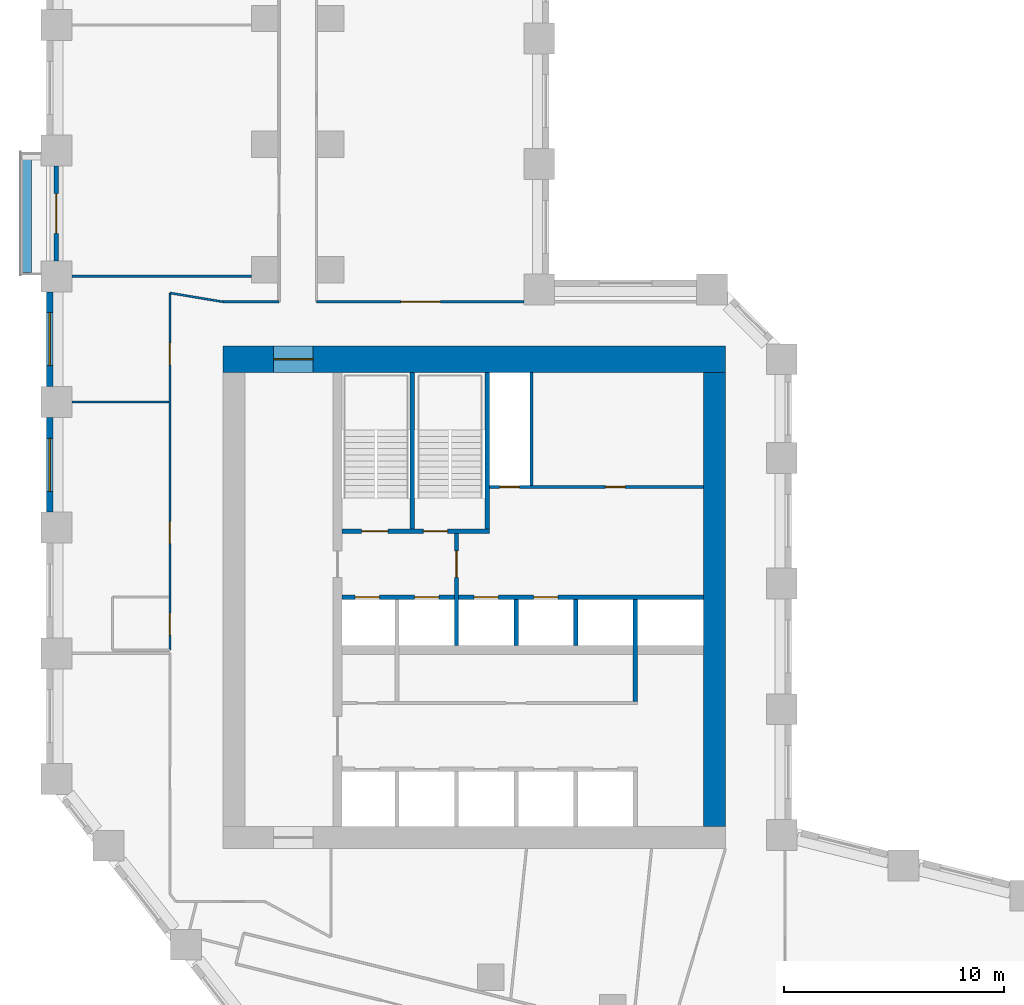
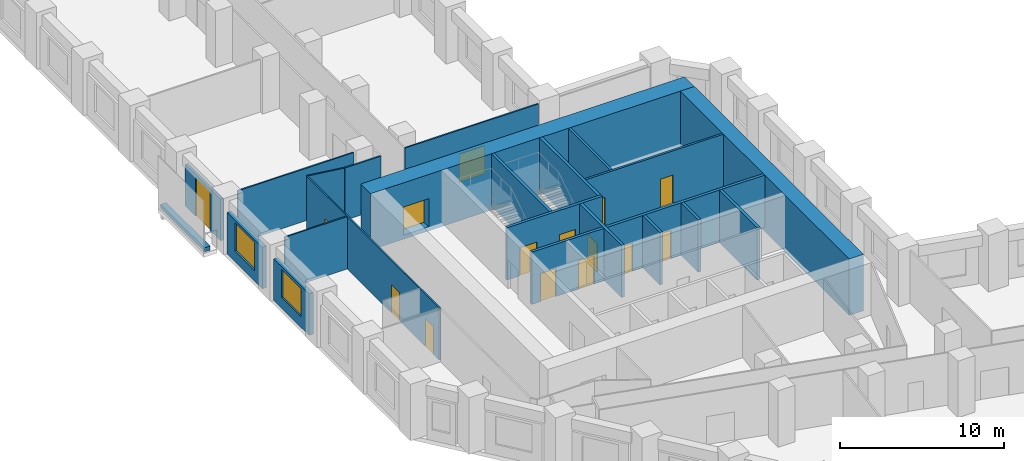
# One storey, part 5 of 11: 22 walls, 15 doors, 2 windows, 17 openings.
"""IFC4 building model written with IfcOpenShell, lengths in metres."""

from ifc_helpers import new_model, si_unit, direction, frame, frame_2d, origin, place, context, subcontext, project, spatial, rectangle, extrude, material, layer, layer_set, type_object, element, fill, save


model = new_model("IFC4")

# Units and contexts
model_context = context("Model", 3, precision=1e-05, world=origin(), true_north=direction((0.0, 1.0)))
body_context = subcontext(model_context, "Body", "Model", "MODEL_VIEW")
ifc_project = project(units=[si_unit("LENGTHUNIT", "METRE"), si_unit("AREAUNIT", "SQUARE_METRE"), si_unit("VOLUMEUNIT", "CUBIC_METRE"), si_unit("PLANEANGLEUNIT", "RADIAN"), si_unit("MASSUNIT", "GRAM", prefix="KILO")], contexts=[model_context])

# Site, building, storey
site_placement = place(None, origin())
site = spatial("IfcSite", under=ifc_project, at=site_placement, CompositionType="ELEMENT")
building_placement = place(site_placement, origin())
building = spatial("IfcBuilding", under=site, at=building_placement, Name="Meshkara Civic Tower", CompositionType="ELEMENT")
storey_placement = place(building_placement, frame((0.0, 0.0, 45.60009765625)))
storey = spatial("IfcBuildingStorey", under=building, at=storey_placement, Name="L09", CompositionType="ELEMENT", Elevation=45.60009765625)

# Wall, openings, doors
ifc_material_1 = material(Name="Blockwork", Category="masonry")
ifc_layer_1 = layer(ifc_material_1, 0.14990234375)
ifc_layer_set_1 = layer_set([ifc_layer_1], Name="Core partition 150")
wall_type_1 = type_object("IfcWallType", Name="Core partition 150", PredefinedType="PARTITIONING", material=ifc_layer_set_1)
wall_1_placement = place(storey_placement, frame((20.10009765625, 30.5, 0.0), z_axis=(0.0, 0.0, 1.0), x_axis=(1.0, 0.0, 0.0)))
wall_1 = element("IfcWall", 1, at=wall_1_placement, inside=storey, type_object=wall_type_1, Name="L09-C010", PredefinedType="PARTITIONING", context=body_context, shape_type="SweptSolid", body=[
    extrude(rectangle(XDim=9.699951171875, YDim=0.14990234375, at=frame_2d((4.85009765625, 0.0))), origin(), (0.0, 0.0, 1.0), 3.89990234375),
])
opening_1_placement = place(wall_1_placement, frame((0.449951171875, 0.0, 0.0)))
opening_1 = element("IfcOpeningElement", 2, at=opening_1_placement, cuts=wall_1, Name="Opening L09-K012", PredefinedType="OPENING", context=body_context, shape_type="SweptSolid", body=[
    extrude(rectangle(XDim=0.89990234375, YDim=2.10009765625, at=frame_2d((0.449951171875, 1.050048828125))), frame((0.0, 0.0849609375, 0.0), z_axis=(0.0, -1.0, 0.0), x_axis=(1.0, 0.0, 0.0)), (0.0, 0.0, 1.0), 0.169921875),
])
opening_2_placement = place(wall_1_placement, frame((5.25, 0.0, 0.0)))
opening_2 = element("IfcOpeningElement", 3, at=opening_2_placement, cuts=wall_1, Name="Opening L09-K013", PredefinedType="OPENING", context=body_context, shape_type="SweptSolid", body=[
    extrude(rectangle(XDim=0.89990234375, YDim=2.10009765625, at=frame_2d((0.449951171875, 1.050048828125))), frame((0.0, 0.0849609375, 0.0), z_axis=(0.0, -1.0, 0.0), x_axis=(1.0, 0.0, 0.0)), (0.0, 0.0, 1.0), 0.169921875),
])
ifc_material_2 = material(Name="Timber door leaf in steel frame", Category="steel")
door_type_1 = type_object("IfcDoorType", Name="Core room door 900", OperationType="SINGLE_SWING_LEFT", PredefinedType="DOOR", material=ifc_material_2)
door_1_placement = place(opening_2_placement, origin())
door_1 = element("IfcDoor", 4, at=door_1_placement, inside=storey, type_object=door_type_1, Name="L09-K013", OperationType="SINGLE_SWING_LEFT", OverallHeight=2.10009765625, OverallWidth=0.89990234375, PredefinedType="DOOR", context=body_context, shape_type="SweptSolid", body=[
    extrude(rectangle(XDim=0.89990234375, YDim=2.10009765625, at=frame_2d((0.449951171875, 1.050048828125))), frame((0.0, 0.02490234375, 0.0), z_axis=(0.0, -1.0, 0.0), x_axis=(1.0, 0.0, 0.0)), (0.0, 0.0, 1.0), 0.050048828125),
])
fill(opening_2, door_1)
ifc_material_3 = material(Name="Fire-rated door leaf in steel frame", Category="steel")
door_type_2 = type_object("IfcDoorType", Name="Riser door 900", OperationType="SINGLE_SWING_LEFT", PredefinedType="DOOR", material=ifc_material_3)
door_2_placement = place(opening_1_placement, origin())
door_2 = element("IfcDoor", 5, at=door_2_placement, inside=storey, type_object=door_type_2, Name="L09-K012", OperationType="SINGLE_SWING_RIGHT", OverallHeight=2.10009765625, OverallWidth=0.89990234375, PredefinedType="DOOR", context=body_context, shape_type="SweptSolid", body=[
    extrude(rectangle(XDim=0.89990234375, YDim=2.10009765625, at=frame_2d((0.449951171875, 1.050048828125))), frame((0.0, 0.02490234375, 0.0), z_axis=(0.0, -1.0, 0.0), x_axis=(1.0, 0.0, 0.0)), (0.0, 0.0, 1.0), 0.050048828125),
])
fill(opening_1, door_2)

# Walls
wall_2_placement = place(storey_placement, frame((22.0, 30.574951171875, 0.0), z_axis=(0.0, 0.0, 1.0), x_axis=(0.0, 1.0, 0.0)))
element("IfcWall", 6, at=wall_2_placement, inside=storey, type_object=wall_type_1, Name="L09-C020", PredefinedType="PARTITIONING", context=body_context, shape_type="SweptSolid", body=[
    extrude(rectangle(XDim=5.125, YDim=0.14990234375, at=frame_2d((2.5625, 0.0))), origin(), (0.0, 0.0, 1.0), 3.89990234375),
])
ifc_material_4 = material(Name="Concrete C80", Category="concrete")
ifc_layer_2 = layer(ifc_material_4, 1.0)
ifc_layer_set_2 = layer_set([ifc_layer_2], Name="Core ring wall 1000 C80")
wall_type_2 = type_object("IfcWallType", Name="Core ring wall 1000 C80", PredefinedType="SHEAR", material=ifc_layer_set_2)
wall_3_placement = place(storey_placement, frame((30.300048828125, 15.10009765625, -0.300048828125), z_axis=(0.0, 0.0, 1.0), x_axis=(0.0, 1.0, 0.0)))
element("IfcWall", 7, at=wall_3_placement, inside=storey, type_object=wall_type_2, Name="L09-C004", PredefinedType="SHEAR", context=body_context, shape_type="SweptSolid", body=[
    extrude(rectangle(XDim=20.599853515625, YDim=1.0, at=frame_2d((10.2998046875, 0.0))), origin(), (0.0, 0.0, 1.0), 4.199951171875),
])

# Wall, opening, door
ifc_material_5 = material(Name="Concrete C80", Category="concrete")
ifc_layer_3 = layer(ifc_material_5, 1.199951171875)
ifc_layer_set_3 = layer_set([ifc_layer_3], Name="Core ring wall 1200 C80")
wall_type_3 = type_object("IfcWallType", Name="Core ring wall 1200 C80", PredefinedType="SHEAR", material=ifc_layer_set_3)
wall_4_placement = place(storey_placement, frame((8.0, 36.300048828125, -0.300048828125), z_axis=(0.0, 0.0, 1.0), x_axis=(1.0, 0.0, 0.0)))
wall_4 = element("IfcWall", 8, at=wall_4_placement, inside=storey, type_object=wall_type_3, Name="L09-C002", PredefinedType="SHEAR", context=body_context, shape_type="SweptSolid", body=[
    extrude(rectangle(XDim=22.800048828125, YDim=1.199951171875, at=frame_2d((11.39990234375, 0.0))), origin(), (0.0, 0.0, 1.0), 4.199951171875),
])
opening_3_placement = place(wall_4_placement, frame((2.300048828125, 0.0, 0.300048828125)))
opening_3 = element("IfcOpeningElement", 9, at=opening_3_placement, cuts=wall_4, Name="Opening L09-K019", PredefinedType="OPENING", context=body_context, shape_type="SweptSolid", body=[
    extrude(rectangle(XDim=1.800048828125, YDim=2.10009765625, at=frame_2d((0.89990234375, 1.050048828125))), frame((0.0, 0.60986328125, 0.0), z_axis=(0.0, -1.0, 0.0), x_axis=(1.0, 0.0, 0.0)), (0.0, 0.0, 1.0), 1.219970703125),
])
ifc_material_6 = material(Name="Fire-rated door leaf in steel frame", Category="steel")
door_type_3 = type_object("IfcDoorType", Name="Core double door 1800 EI 60", OperationType="DOUBLE_DOOR_SINGLE_SWING", PredefinedType="DOOR", material=ifc_material_6)
door_3_placement = place(opening_3_placement, origin())
door_3 = element("IfcDoor", 10, at=door_3_placement, inside=storey, type_object=door_type_3, Name="L09-K019", OperationType="DOUBLE_DOOR_SINGLE_SWING", OverallHeight=2.10009765625, OverallWidth=1.800048828125, PredefinedType="DOOR", context=body_context, shape_type="SweptSolid", body=[
    extrude(rectangle(XDim=1.800048828125, YDim=2.10009765625, at=frame_2d((0.89990234375, 1.050048828125))), frame((0.0, 0.02490234375, 0.0), z_axis=(0.0, -1.0, 0.0), x_axis=(1.0, 0.0, 0.0)), (0.0, 0.0, 1.0), 0.050048828125),
])
fill(opening_3, door_3)

# Wall, openings, doors
ifc_material_7 = material(Name="Corridor wall 100")
ifc_layer_4 = layer(ifc_material_7, 0.10009765625)
ifc_layer_set_4 = layer_set([ifc_layer_4], Name="Corridor wall 100")
wall_type_4 = type_object("IfcWallType", Name="Corridor wall 100", PredefinedType="PARTITIONING", material=ifc_layer_set_4)
wall_5_placement = place(storey_placement, frame((5.60009765625, 23.10498046875, 0.0), z_axis=(0.0, 0.0, 1.0), x_axis=(0.0, 1.0, 0.0)))
wall_5 = element("IfcWall", 11, at=wall_5_placement, inside=storey, type_object=wall_type_4, Name="L09-W005", PredefinedType="PARTITIONING", context=body_context, shape_type="SweptSolid", body=[
    extrude(rectangle(XDim=16.195068359375, YDim=0.10009765625, at=frame_2d((8.09765625, 0.0))), origin(), (0.0, 0.0, 1.0), 3.89990234375),
])
opening_4_placement = place(wall_5_placement, frame((4.830078125, 0.0, 0.0)))
opening_4 = element("IfcOpeningElement", 12, at=opening_4_placement, cuts=wall_5, Name="Opening L09-D018", PredefinedType="OPENING", context=body_context, shape_type="SweptSolid", body=[
    extrude(rectangle(XDim=1.0, YDim=2.10009765625, at=frame_2d((0.5, 1.050048828125))), frame((0.0, 0.06005859375, 0.0), z_axis=(0.0, -1.0, 0.0), x_axis=(1.0, 0.0, 0.0)), (0.0, 0.0, 1.0), 0.1201171875),
])
opening_5_placement = place(wall_5_placement, frame((0.679931640625, 0.0, 0.0)))
opening_5 = element("IfcOpeningElement", 13, at=opening_5_placement, cuts=wall_5, Name="Opening L09-D019", PredefinedType="OPENING", context=body_context, shape_type="SweptSolid", body=[
    extrude(rectangle(XDim=1.0, YDim=2.10009765625, at=frame_2d((0.5, 1.050048828125))), frame((0.0, 0.06005859375, 0.0), z_axis=(0.0, -1.0, 0.0), x_axis=(1.0, 0.0, 0.0)), (0.0, 0.0, 1.0), 0.1201171875),
])
opening_6_placement = place(wall_5_placement, frame((12.929931640625, 0.0, 0.0)))
opening_6 = element("IfcOpeningElement", 14, at=opening_6_placement, cuts=wall_5, Name="Opening L09-D020", PredefinedType="OPENING", context=body_context, shape_type="SweptSolid", body=[
    extrude(rectangle(XDim=1.0, YDim=2.10009765625, at=frame_2d((0.5, 1.050048828125))), frame((0.0, 0.06005859375, 0.0), z_axis=(0.0, -1.0, 0.0), x_axis=(1.0, 0.0, 0.0)), (0.0, 0.0, 1.0), 0.1201171875),
])
ifc_material_8 = material(Name="Door 1000 x 2100")
door_type_4 = type_object("IfcDoorType", Name="Door 1000 x 2100", OperationType="SINGLE_SWING_LEFT", PredefinedType="DOOR", material=ifc_material_8)
door_4_placement = place(opening_4_placement, origin())
door_4 = element("IfcDoor", 15, at=door_4_placement, inside=storey, type_object=door_type_4, Name="L09-D018", OperationType="SINGLE_SWING_LEFT", OverallHeight=2.10009765625, OverallWidth=1.0, PredefinedType="DOOR", context=body_context, shape_type="SweptSolid", body=[
    extrude(rectangle(XDim=1.0, YDim=2.10009765625, at=frame_2d((0.5, 1.050048828125))), frame((0.0, 0.02490234375, 0.0), z_axis=(0.0, -1.0, 0.0), x_axis=(1.0, 0.0, 0.0)), (0.0, 0.0, 1.0), 0.050048828125),
])
fill(opening_4, door_4)
door_5_placement = place(opening_5_placement, origin())
door_5 = element("IfcDoor", 16, at=door_5_placement, inside=storey, type_object=door_type_4, Name="L09-D019", OperationType="SINGLE_SWING_LEFT", OverallHeight=2.10009765625, OverallWidth=1.0, PredefinedType="DOOR", context=body_context, shape_type="SweptSolid", body=[
    extrude(rectangle(XDim=1.0, YDim=2.10009765625, at=frame_2d((0.5, 1.050048828125))), frame((0.0, 0.02490234375, 0.0), z_axis=(0.0, -1.0, 0.0), x_axis=(1.0, 0.0, 0.0)), (0.0, 0.0, 1.0), 0.050048828125),
])
fill(opening_5, door_5)
door_6_placement = place(opening_6_placement, origin())
door_6 = element("IfcDoor", 17, at=door_6_placement, inside=storey, type_object=door_type_4, Name="L09-D020", OperationType="SINGLE_SWING_LEFT", OverallHeight=2.10009765625, OverallWidth=1.0, PredefinedType="DOOR", context=body_context, shape_type="SweptSolid", body=[
    extrude(rectangle(XDim=1.0, YDim=2.10009765625, at=frame_2d((0.5, 1.050048828125))), frame((0.0, 0.02490234375, 0.0), z_axis=(0.0, -1.0, 0.0), x_axis=(1.0, 0.0, 0.0)), (0.0, 0.0, 1.0), 0.050048828125),
])
fill(opening_6, door_6)

# Walls
wall_6_placement = place(storey_placement, frame((8.0, 38.89990234375, 0.0), z_axis=(0.0, 0.0, 1.0), x_axis=(-0.986383073668, 0.16446407505, 0.0)))
element("IfcWall", 18, at=wall_6_placement, inside=storey, type_object=wall_type_4, Name="L09-W008", PredefinedType="PARTITIONING", context=body_context, shape_type="SweptSolid", body=[
    extrude(rectangle(XDim=2.43310546875, YDim=0.10009765625, at=frame_2d((1.216552734375, 0.0))), origin(), (0.0, 0.0, 1.0), 3.89990234375),
])
wall_7_placement = place(storey_placement, frame((10.550048828125, 38.89990234375, 0.0), z_axis=(0.0, 0.0, 1.0), x_axis=(-1.0, 0.0, 0.0)))
element("IfcWall", 19, at=wall_7_placement, inside=storey, type_object=wall_type_4, Name="L09-W013", PredefinedType="PARTITIONING", context=body_context, shape_type="SweptSolid", body=[
    extrude(rectangle(XDim=2.550048828125, YDim=0.10009765625, at=frame_2d((1.27490234375, 0.0))), origin(), (0.0, 0.0, 1.0), 3.89990234375),
])

# Wall, opening, door
wall_8_placement = place(storey_placement, frame((21.64990234375, 38.89990234375, 0.0), z_axis=(0.0, 0.0, 1.0), x_axis=(-1.0, 0.0, 0.0)))
wall_8 = element("IfcWall", 20, at=wall_8_placement, inside=storey, type_object=wall_type_4, Name="L09-W020", PredefinedType="PARTITIONING", context=body_context, shape_type="SweptSolid", body=[
    extrude(rectangle(XDim=9.39990234375, YDim=0.10009765625, at=frame_2d((4.699951171875, 0.0))), origin(), (0.0, 0.0, 1.0), 3.89990234375),
])
opening_7_placement = place(wall_8_placement, frame((3.780029296875, 0.0, 0.0)))
opening_7 = element("IfcOpeningElement", 21, at=opening_7_placement, cuts=wall_8, Name="Opening L09-D021", PredefinedType="OPENING", context=body_context, shape_type="SweptSolid", body=[
    extrude(rectangle(XDim=1.800048828125, YDim=2.10009765625, at=frame_2d((0.89990234375, 1.050048828125))), frame((0.0, 0.06005859375, 0.0), z_axis=(0.0, -1.0, 0.0), x_axis=(1.0, 0.0, 0.0)), (0.0, 0.0, 1.0), 0.1201171875),
])
ifc_material_9 = material(Name="Door pair 1800 x 2100")
door_type_5 = type_object("IfcDoorType", Name="Door pair 1800 x 2100", OperationType="SINGLE_SWING_LEFT", PredefinedType="DOOR", material=ifc_material_9)
door_7_placement = place(opening_7_placement, origin())
door_7 = element("IfcDoor", 22, at=door_7_placement, inside=storey, type_object=door_type_5, Name="L09-D021", OperationType="DOUBLE_DOOR_SINGLE_SWING", OverallHeight=2.10009765625, OverallWidth=1.800048828125, PredefinedType="DOOR", context=body_context, shape_type="SweptSolid", body=[
    extrude(rectangle(XDim=1.800048828125, YDim=2.10009765625, at=frame_2d((0.89990234375, 1.050048828125))), frame((0.0, 0.02490234375, 0.0), z_axis=(0.0, -1.0, 0.0), x_axis=(1.0, 0.0, 0.0)), (0.0, 0.0, 1.0), 0.050048828125),
])
fill(opening_7, door_7)

# Wall, opening, window
ifc_material_10 = material(Name="Insulated infill panel with bronze anodised aluminium cladding", Category="aluminium")
ifc_layer_5 = layer(ifc_material_10, 0.300048828125)
ifc_layer_set_5 = layer_set([ifc_layer_5], Name="EXTERNAL INFILL WALL 300")
wall_type_5 = type_object("IfcWallType", Name="EXTERNAL INFILL WALL 300", PredefinedType="SOLIDWALL", material=ifc_layer_set_5)
wall_9_placement = place(storey_placement, frame((0.14990234375, 39.35498046875, 0.0), z_axis=(0.0, 0.0, 1.0), x_axis=(0.0, -1.0, 0.0)))
wall_9 = element("IfcWall", 23, at=wall_9_placement, inside=storey, type_object=wall_type_5, Name="External wall", PredefinedType="SOLIDWALL", context=body_context, shape_type="SweptSolid", body=[
    extrude(rectangle(XDim=4.300048828125, YDim=0.300048828125, at=frame_2d((2.14990234375, 0.0))), origin(), (0.0, 0.0, 1.0), 3.099853515625),
])
opening_8_placement = place(wall_9_placement, frame((0.949951171875, 0.0, 0.800048828125)))
opening_8 = element("IfcOpeningElement", 24, at=opening_8_placement, cuts=wall_9, Name="Opening W7", PredefinedType="OPENING", context=body_context, shape_type="SweptSolid", body=[
    extrude(rectangle(XDim=2.39990234375, YDim=2.10009765625, at=frame_2d((1.199951171875, 1.050048828125))), frame((0.0, 0.159912109375, 0.0), z_axis=(0.0, -1.0, 0.0), x_axis=(1.0, 0.0, 0.0)), (0.0, 0.0, 1.0), 0.320068359375),
])
ifc_material_11 = material(Name="Tinted double glazing", Category="glass")
window_type = type_object("IfcWindowType", Name="WINDOW 2400x2100", PartitioningType="DOUBLE_PANEL_VERTICAL", PredefinedType="WINDOW", material=ifc_material_11)
window_1_placement = place(opening_8_placement, origin())
window_1 = element("IfcWindow", 25, at=window_1_placement, inside=storey, type_object=window_type, Name="Window", OverallHeight=2.10009765625, OverallWidth=2.39990234375, PartitioningType="DOUBLE_PANEL_VERTICAL", PredefinedType="WINDOW", context=body_context, shape_type="SweptSolid", body=[
    extrude(rectangle(XDim=2.39990234375, YDim=2.10009765625, at=frame_2d((1.199951171875, 1.050048828125))), frame((0.0, 0.030029296875, 0.0), z_axis=(0.0, -1.0, 0.0), x_axis=(1.0, 0.0, 0.0)), (0.0, 0.0, 1.0), 0.06005859375),
])
fill(opening_8, window_1)

wall_10_placement = place(storey_placement, frame((0.14990234375, 33.655029296875, 0.0), z_axis=(0.0, 0.0, 1.0), x_axis=(0.0, -1.0, 0.0)))
wall_10 = element("IfcWall", 26, at=wall_10_placement, inside=storey, type_object=wall_type_5, Name="External wall", PredefinedType="SOLIDWALL", context=body_context, shape_type="SweptSolid", body=[
    extrude(rectangle(XDim=4.300048828125, YDim=0.300048828125, at=frame_2d((2.14990234375, 0.0))), origin(), (0.0, 0.0, 1.0), 3.099853515625),
])
opening_9_placement = place(wall_10_placement, frame((0.949951171875, 0.0, 0.800048828125)))
opening_9 = element("IfcOpeningElement", 27, at=opening_9_placement, cuts=wall_10, Name="Opening W7", PredefinedType="OPENING", context=body_context, shape_type="SweptSolid", body=[
    extrude(rectangle(XDim=2.39990234375, YDim=2.10009765625, at=frame_2d((1.199951171875, 1.050048828125))), frame((0.0, 0.159912109375, 0.0), z_axis=(0.0, -1.0, 0.0), x_axis=(1.0, 0.0, 0.0)), (0.0, 0.0, 1.0), 0.320068359375),
])
window_2_placement = place(opening_9_placement, origin())
window_2 = element("IfcWindow", 28, at=window_2_placement, inside=storey, type_object=window_type, Name="Window", OverallHeight=2.10009765625, OverallWidth=2.39990234375, PartitioningType="DOUBLE_PANEL_VERTICAL", PredefinedType="WINDOW", context=body_context, shape_type="SweptSolid", body=[
    extrude(rectangle(XDim=2.39990234375, YDim=2.10009765625, at=frame_2d((1.199951171875, 1.050048828125))), frame((0.0, 0.030029296875, 0.0), z_axis=(0.0, -1.0, 0.0), x_axis=(1.0, 0.0, 0.0)), (0.0, 0.0, 1.0), 0.06005859375),
])
fill(opening_9, window_2)

# Wall, opening, door
ifc_material_12 = material(Name="Insulated infill panel with bronze anodised aluminium cladding", Category="aluminium")
ifc_layer_6 = layer(ifc_material_12, 0.199951171875)
ifc_layer_set_6 = layer_set([ifc_layer_6], Name="LOGGIA BACK WALL 200")
wall_type_6 = type_object("IfcWallType", Name="LOGGIA BACK WALL 200", PredefinedType="SOLIDWALL", material=ifc_layer_set_6)
wall_11_placement = place(storey_placement, frame((0.449951171875, 45.053955078125, 0.0), z_axis=(0.0, 0.0, 1.0), x_axis=(0.0, -1.0, 0.0)))
wall_11 = element("IfcWall", 29, at=wall_11_placement, inside=storey, type_object=wall_type_6, Name="Loggia wall", PredefinedType="SOLIDWALL", context=body_context, shape_type="SweptSolid", body=[
    extrude(rectangle(XDim=4.2978515625, YDim=0.199951171875, at=frame_2d((2.14892578125, 0.0))), origin(), (0.0, 0.0, 1.0), 3.099853515625),
])
opening_10_placement = place(wall_11_placement, frame((1.2490234375, 0.0, 0.0)))
opening_10 = element("IfcOpeningElement", 30, at=opening_10_placement, cuts=wall_11, Name="Opening L09-L002", PredefinedType="OPENING", context=body_context, shape_type="SweptSolid", body=[
    extrude(rectangle(XDim=1.800048828125, YDim=2.89990234375, at=frame_2d((0.89990234375, 1.449951171875))), frame((0.0, 0.10986328125, 0.0), z_axis=(0.0, -1.0, 0.0), x_axis=(1.0, 0.0, 0.0)), (0.0, 0.0, 1.0), 0.219970703125),
])
ifc_material_13 = material(Name="Tinted double glazing", Category="glass")
door_type_6 = type_object("IfcDoorType", Name="LOGGIA DOOR 1800x2900", OperationType="DOUBLE_DOOR_SINGLE_SWING", PredefinedType="DOOR", material=ifc_material_13)
door_8_placement = place(opening_10_placement, origin())
door_8 = element("IfcDoor", 31, at=door_8_placement, inside=storey, type_object=door_type_6, Name="L09-L002", OperationType="DOUBLE_DOOR_SINGLE_SWING", OverallHeight=2.89990234375, OverallWidth=1.800048828125, PredefinedType="DOOR", context=body_context, shape_type="SweptSolid", body=[
    extrude(rectangle(XDim=1.800048828125, YDim=2.89990234375, at=frame_2d((0.89990234375, 1.449951171875))), frame((0.0, 0.02490234375, 0.0), z_axis=(0.0, -1.0, 0.0), x_axis=(1.0, 0.0, 0.0)), (0.0, 0.0, 1.0), 0.050048828125),
])
fill(opening_10, door_8)

# Walls
ifc_material_14 = material(Name="Concrete C40", Category="concrete")
ifc_layer_7 = layer(ifc_material_14, 0.39990234375)
ifc_layer_set_7 = layer_set([ifc_layer_7], Name="PLANTER TRAY")
wall_type_7 = type_object("IfcWallType", Name="PLANTER TRAY", PredefinedType="SOLIDWALL", material=ifc_layer_set_7)
wall_12_placement = place(storey_placement, frame((-0.8798828125, 45.5849609375, 0.0), z_axis=(0.0, 0.0, 1.0), x_axis=(0.0, -1.0, 0.0)))
element("IfcWall", 32, at=wall_12_placement, inside=storey, type_object=wall_type_7, Name="Planter", PredefinedType="SOLIDWALL", context=body_context, shape_type="SweptSolid", body=[
    extrude(rectangle(XDim=5.35986328125, YDim=0.39990234375, at=frame_2d((2.679931640625, 0.0))), origin(), (0.0, 0.0, 1.0), 0.2998046875),
])
ifc_material_15 = material(Name="Partition 100")
ifc_layer_8 = layer(ifc_material_15, 0.10009765625)
ifc_layer_set_8 = layer_set([ifc_layer_8], Name="Partition 100")
wall_type_8 = type_object("IfcWallType", Name="Partition 100", PredefinedType="PARTITIONING", material=ifc_layer_set_8)
wall_13_placement = place(storey_placement, frame((5.550048828125, 34.35498046875, 0.0), z_axis=(0.0, 0.0, 1.0), x_axis=(-1.0, 0.0, 0.0)))
element("IfcWall", 33, at=wall_13_placement, inside=storey, type_object=wall_type_8, Name="L09-W035", PredefinedType="PARTITIONING", context=body_context, shape_type="SweptSolid", body=[
    extrude(rectangle(XDim=4.400146484375, YDim=0.10009765625, at=frame_2d((2.2001953125, 0.0))), origin(), (0.0, 0.0, 1.0), 3.89990234375),
])
wall_14_placement = place(storey_placement, frame((9.300048828125, 40.054931640625, 0.0), z_axis=(0.0, 0.0, 1.0), x_axis=(-1.0, 0.0, 0.0)))
element("IfcWall", 34, at=wall_14_placement, inside=storey, type_object=wall_type_8, Name="L09-W040", PredefinedType="PARTITIONING", context=body_context, shape_type="SweptSolid", body=[
    extrude(rectangle(XDim=8.150146484375, YDim=0.10009765625, at=frame_2d((4.0751953125, 0.0))), origin(), (0.0, 0.0, 1.0), 3.89990234375),
])

# Wall, openings, doors
ifc_material_16 = material(Name="Concrete C40/50", Category="concrete")
ifc_layer_9 = layer(ifc_material_16, 0.199951171875)
ifc_layer_set_9 = layer_set([ifc_layer_9], Name="Shaft wall 200 C40/50")
wall_type_9 = type_object("IfcWallType", Name="Shaft wall 200 C40/50", PredefinedType="SOLIDWALL", material=ifc_layer_set_9)
wall_15_placement = place(storey_placement, frame((13.39990234375, 25.5, 0.0), z_axis=(0.0, 0.0, 1.0), x_axis=(1.0, 0.0, 0.0)))
wall_15 = element("IfcWall", 35, at=wall_15_placement, inside=storey, type_object=wall_type_9, Name="L09-C008", PredefinedType="SOLIDWALL", context=body_context, shape_type="SweptSolid", body=[
    extrude(rectangle(XDim=16.400146484375, YDim=0.199951171875, at=frame_2d((8.2001953125, 0.0))), origin(), (0.0, 0.0, 1.0), 3.89990234375),
])
opening_11_placement = place(wall_15_placement, frame((0.60009765625, 0.0, 0.0)))
opening_11 = element("IfcOpeningElement", 36, at=opening_11_placement, cuts=wall_15, Name="Opening L09-K006", PredefinedType="OPENING", context=body_context, shape_type="SweptSolid", body=[
    extrude(rectangle(XDim=1.10009765625, YDim=2.10009765625, at=frame_2d((0.550048828125, 1.050048828125))), frame((0.0, 0.10986328125, 0.0), z_axis=(0.0, -1.0, 0.0), x_axis=(1.0, 0.0, 0.0)), (0.0, 0.0, 1.0), 0.219970703125),
])
opening_12_placement = place(wall_15_placement, frame((3.300048828125, 0.0, 0.0)))
opening_12 = element("IfcOpeningElement", 37, at=opening_12_placement, cuts=wall_15, Name="Opening L09-K007", PredefinedType="OPENING", context=body_context, shape_type="SweptSolid", body=[
    extrude(rectangle(XDim=1.10009765625, YDim=2.10009765625, at=frame_2d((0.550048828125, 1.050048828125))), frame((0.0, 0.10986328125, 0.0), z_axis=(0.0, -1.0, 0.0), x_axis=(1.0, 0.0, 0.0)), (0.0, 0.0, 1.0), 0.219970703125),
])
opening_13_placement = place(wall_15_placement, frame((6.0, 0.0, 0.0)))
opening_13 = element("IfcOpeningElement", 38, at=opening_13_placement, cuts=wall_15, Name="Opening L09-K008", PredefinedType="OPENING", context=body_context, shape_type="SweptSolid", body=[
    extrude(rectangle(XDim=1.10009765625, YDim=2.10009765625, at=frame_2d((0.550048828125, 1.050048828125))), frame((0.0, 0.10986328125, 0.0), z_axis=(0.0, -1.0, 0.0), x_axis=(1.0, 0.0, 0.0)), (0.0, 0.0, 1.0), 0.219970703125),
])
opening_14_placement = place(wall_15_placement, frame((8.699951171875, 0.0, 0.0)))
opening_14 = element("IfcOpeningElement", 39, at=opening_14_placement, cuts=wall_15, Name="Opening L09-K009", PredefinedType="OPENING", context=body_context, shape_type="SweptSolid", body=[
    extrude(rectangle(XDim=1.10009765625, YDim=2.10009765625, at=frame_2d((0.550048828125, 1.050048828125))), frame((0.0, 0.10986328125, 0.0), z_axis=(0.0, -1.0, 0.0), x_axis=(1.0, 0.0, 0.0)), (0.0, 0.0, 1.0), 0.219970703125),
])
ifc_material_17 = material(Name="Stainless steel landing door", Category="steel")
door_type_7 = type_object("IfcDoorType", Name="Lift landing door 1100", OperationType="SLIDING_TO_LEFT", PredefinedType="DOOR", material=ifc_material_17)
door_9_placement = place(opening_11_placement, origin())
door_9 = element("IfcDoor", 40, at=door_9_placement, inside=storey, type_object=door_type_7, Name="L09-K006", OperationType="SLIDING_TO_LEFT", OverallHeight=2.10009765625, OverallWidth=1.10009765625, PredefinedType="DOOR", context=body_context, shape_type="SweptSolid", body=[
    extrude(rectangle(XDim=1.10009765625, YDim=2.10009765625, at=frame_2d((0.550048828125, 1.050048828125))), frame((0.0, 0.02490234375, 0.0), z_axis=(0.0, -1.0, 0.0), x_axis=(1.0, 0.0, 0.0)), (0.0, 0.0, 1.0), 0.050048828125),
])
fill(opening_11, door_9)
door_10_placement = place(opening_12_placement, origin())
door_10 = element("IfcDoor", 41, at=door_10_placement, inside=storey, type_object=door_type_7, Name="L09-K007", OperationType="SLIDING_TO_LEFT", OverallHeight=2.10009765625, OverallWidth=1.10009765625, PredefinedType="DOOR", context=body_context, shape_type="SweptSolid", body=[
    extrude(rectangle(XDim=1.10009765625, YDim=2.10009765625, at=frame_2d((0.550048828125, 1.050048828125))), frame((0.0, 0.02490234375, 0.0), z_axis=(0.0, -1.0, 0.0), x_axis=(1.0, 0.0, 0.0)), (0.0, 0.0, 1.0), 0.050048828125),
])
fill(opening_12, door_10)
door_11_placement = place(opening_13_placement, origin())
door_11 = element("IfcDoor", 42, at=door_11_placement, inside=storey, type_object=door_type_7, Name="L09-K008", OperationType="SLIDING_TO_LEFT", OverallHeight=2.10009765625, OverallWidth=1.10009765625, PredefinedType="DOOR", context=body_context, shape_type="SweptSolid", body=[
    extrude(rectangle(XDim=1.10009765625, YDim=2.10009765625, at=frame_2d((0.550048828125, 1.050048828125))), frame((0.0, 0.02490234375, 0.0), z_axis=(0.0, -1.0, 0.0), x_axis=(1.0, 0.0, 0.0)), (0.0, 0.0, 1.0), 0.050048828125),
])
fill(opening_13, door_11)
door_12_placement = place(opening_14_placement, origin())
door_12 = element("IfcDoor", 43, at=door_12_placement, inside=storey, type_object=door_type_7, Name="L09-K009", OperationType="SLIDING_TO_LEFT", OverallHeight=2.10009765625, OverallWidth=1.10009765625, PredefinedType="DOOR", context=body_context, shape_type="SweptSolid", body=[
    extrude(rectangle(XDim=1.10009765625, YDim=2.10009765625, at=frame_2d((0.550048828125, 1.050048828125))), frame((0.0, 0.02490234375, 0.0), z_axis=(0.0, -1.0, 0.0), x_axis=(1.0, 0.0, 0.0)), (0.0, 0.0, 1.0), 0.050048828125),
])
fill(opening_14, door_12)

# Wall, opening, door
wall_16_placement = place(storey_placement, frame((18.60009765625, 23.300048828125, 0.0), z_axis=(0.0, 0.0, 1.0), x_axis=(0.0, 1.0, 0.0)))
wall_16 = element("IfcWall", 44, at=wall_16_placement, inside=storey, type_object=wall_type_9, Name="L09-C016", PredefinedType="SOLIDWALL", context=body_context, shape_type="SweptSolid", body=[
    extrude(rectangle(XDim=5.099853515625, YDim=0.199951171875, at=frame_2d((2.5498046875, 0.0))), origin(), (0.0, 0.0, 1.0), 3.89990234375),
])
opening_15_placement = place(wall_16_placement, frame((3.10009765625, 0.0, 0.0)))
opening_15 = element("IfcOpeningElement", 45, at=opening_15_placement, cuts=wall_16, Name="Opening L09-K018", PredefinedType="OPENING", context=body_context, shape_type="SweptSolid", body=[
    extrude(rectangle(XDim=1.199951171875, YDim=2.10009765625, at=frame_2d((0.60009765625, 1.050048828125))), frame((0.0, 0.10986328125, 0.0), z_axis=(0.0, -1.0, 0.0), x_axis=(1.0, 0.0, 0.0)), (0.0, 0.0, 1.0), 0.219970703125),
])
ifc_material_18 = material(Name="Fire-rated door leaf in steel frame", Category="steel")
door_type_8 = type_object("IfcDoorType", Name="Fire-fighting lobby door 1200 EI 120", OperationType="SINGLE_SWING_LEFT", PredefinedType="DOOR", material=ifc_material_18)
door_13_placement = place(opening_15_placement, origin())
door_13 = element("IfcDoor", 46, at=door_13_placement, inside=storey, type_object=door_type_8, Name="L09-K018", OperationType="SINGLE_SWING_RIGHT", OverallHeight=2.10009765625, OverallWidth=1.199951171875, PredefinedType="DOOR", context=body_context, shape_type="SweptSolid", body=[
    extrude(rectangle(XDim=1.199951171875, YDim=2.10009765625, at=frame_2d((0.60009765625, 1.050048828125))), frame((0.0, 0.02490234375, 0.0), z_axis=(0.0, -1.0, 0.0), x_axis=(1.0, 0.0, 0.0)), (0.0, 0.0, 1.0), 0.050048828125),
])
fill(opening_15, door_13)

# Walls
for number, where, z_axis, x_axis, name in (
    (47, (21.300048828125, 23.300048828125, 0.0), (0.0, 0.0, 1.0), (0.0, 1.0, 0.0), "L09-C019"),
    (48, (24.0, 23.300048828125, 0.0), (0.0, 0.0, 1.0), (0.0, 1.0, 0.0), "L09-C022"),
):
    element("IfcWall", number, at=place(storey_placement, frame(where, z_axis=z_axis, x_axis=x_axis)), inside=storey, type_object=wall_type_9, Name=name, PredefinedType="SOLIDWALL", context=body_context, shape_type="SweptSolid", body=[
        extrude(rectangle(XDim=2.099853515625, YDim=0.199951171875, at=frame_2d((1.0498046875, 0.0))), origin(), (0.0, 0.0, 1.0), 3.89990234375),
    ])
wall_17_placement = place(storey_placement, frame((26.699951171875, 20.77490234375, 0.0), z_axis=(0.0, 0.0, 1.0), x_axis=(0.0, 1.0, 0.0)))
element("IfcWall", 49, at=wall_17_placement, inside=storey, type_object=wall_type_9, Name="L09-C024", PredefinedType="SOLIDWALL", context=body_context, shape_type="SweptSolid", body=[
    extrude(rectangle(XDim=4.625, YDim=0.199951171875, at=frame_2d((2.3125, 0.0))), origin(), (0.0, 0.0, 1.0), 3.89990234375),
])

# Wall, openings, doors
ifc_material_19 = material(Name="Concrete C40/50", Category="concrete")
ifc_layer_10 = layer(ifc_material_19, 0.199951171875)
ifc_layer_set_10 = layer_set([ifc_layer_10], Name="Stair enclosure wall 200 C40/50")
wall_type_10 = type_object("IfcWallType", Name="Stair enclosure wall 200 C40/50", PredefinedType="SOLIDWALL", material=ifc_layer_set_10)
wall_18_placement = place(storey_placement, frame((13.39990234375, 28.5, 0.0), z_axis=(0.0, 0.0, 1.0), x_axis=(1.0, 0.0, 0.0)))
wall_18 = element("IfcWall", 50, at=wall_18_placement, inside=storey, type_object=wall_type_10, Name="L09-C009", PredefinedType="SOLIDWALL", context=body_context, shape_type="SweptSolid", body=[
    extrude(rectangle(XDim=6.7001953125, YDim=0.199951171875, at=frame_2d((3.35009765625, 0.0))), origin(), (0.0, 0.0, 1.0), 3.89990234375),
])
opening_16_placement = place(wall_18_placement, frame((0.89990234375, 0.0, 0.0)))
opening_16 = element("IfcOpeningElement", 51, at=opening_16_placement, cuts=wall_18, Name="Opening L09-K014", PredefinedType="OPENING", context=body_context, shape_type="SweptSolid", body=[
    extrude(rectangle(XDim=1.199951171875, YDim=2.10009765625, at=frame_2d((0.60009765625, 1.050048828125))), frame((0.0, 0.10986328125, 0.0), z_axis=(0.0, -1.0, 0.0), x_axis=(1.0, 0.0, 0.0)), (0.0, 0.0, 1.0), 0.219970703125),
])
opening_17_placement = place(wall_18_placement, frame((3.699951171875, 0.0, 0.0)))
opening_17 = element("IfcOpeningElement", 52, at=opening_17_placement, cuts=wall_18, Name="Opening L09-K015", PredefinedType="OPENING", context=body_context, shape_type="SweptSolid", body=[
    extrude(rectangle(XDim=1.10009765625, YDim=2.10009765625, at=frame_2d((0.550048828125, 1.050048828125))), frame((0.0, 0.10986328125, 0.0), z_axis=(0.0, -1.0, 0.0), x_axis=(1.0, 0.0, 0.0)), (0.0, 0.0, 1.0), 0.219970703125),
])
ifc_material_20 = material(Name="Fire-rated door leaf in steel frame", Category="steel")
door_type_9 = type_object("IfcDoorType", Name="Stair door 1100 EI 120", OperationType="SINGLE_SWING_LEFT", PredefinedType="DOOR", material=ifc_material_20)
door_14_placement = place(opening_17_placement, origin())
door_14 = element("IfcDoor", 53, at=door_14_placement, inside=storey, type_object=door_type_9, Name="L09-K015", OperationType="SINGLE_SWING_LEFT", OverallHeight=2.10009765625, OverallWidth=1.10009765625, PredefinedType="DOOR", context=body_context, shape_type="SweptSolid", body=[
    extrude(rectangle(XDim=1.10009765625, YDim=2.10009765625, at=frame_2d((0.550048828125, 1.050048828125))), frame((0.0, 0.02490234375, 0.0), z_axis=(0.0, -1.0, 0.0), x_axis=(1.0, 0.0, 0.0)), (0.0, 0.0, 1.0), 0.050048828125),
])
fill(opening_17, door_14)
ifc_material_21 = material(Name="Fire-rated door leaf in steel frame", Category="steel")
door_type_10 = type_object("IfcDoorType", Name="Stair door 1200 EI 120", OperationType="SINGLE_SWING_LEFT", PredefinedType="DOOR", material=ifc_material_21)
door_15_placement = place(opening_16_placement, origin())
door_15 = element("IfcDoor", 54, at=door_15_placement, inside=storey, type_object=door_type_10, Name="L09-K014", OperationType="SINGLE_SWING_RIGHT", OverallHeight=2.10009765625, OverallWidth=1.199951171875, PredefinedType="DOOR", context=body_context, shape_type="SweptSolid", body=[
    extrude(rectangle(XDim=1.199951171875, YDim=2.10009765625, at=frame_2d((0.60009765625, 1.050048828125))), frame((0.0, 0.02490234375, 0.0), z_axis=(0.0, -1.0, 0.0), x_axis=(1.0, 0.0, 0.0)), (0.0, 0.0, 1.0), 0.050048828125),
])
fill(opening_16, door_15)

# Walls
for number, where, z_axis, x_axis, name in (
    (55, (16.60009765625, 28.60009765625, 0.0), (0.0, 0.0, 1.0), (0.0, 1.0, 0.0), "L09-C014"),
    (56, (20.0, 28.60009765625, 0.0), (0.0, 0.0, 1.0), (0.0, 1.0, 0.0), "L09-C017"),
):
    element("IfcWall", number, at=place(storey_placement, frame(where, z_axis=z_axis, x_axis=x_axis)), inside=storey, type_object=wall_type_10, Name=name, PredefinedType="SOLIDWALL", context=body_context, shape_type="SweptSolid", body=[
        extrude(rectangle(XDim=7.099853515625, YDim=0.199951171875, at=frame_2d((3.5498046875, 0.0))), origin(), (0.0, 0.0, 1.0), 3.89990234375),
    ])

save(model, "model.ifc")
